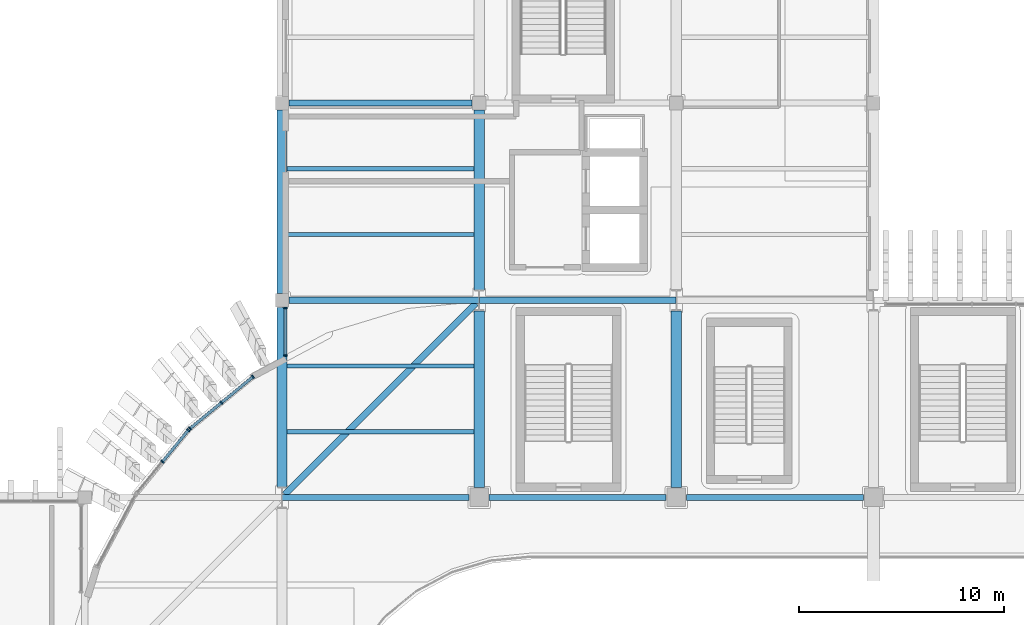
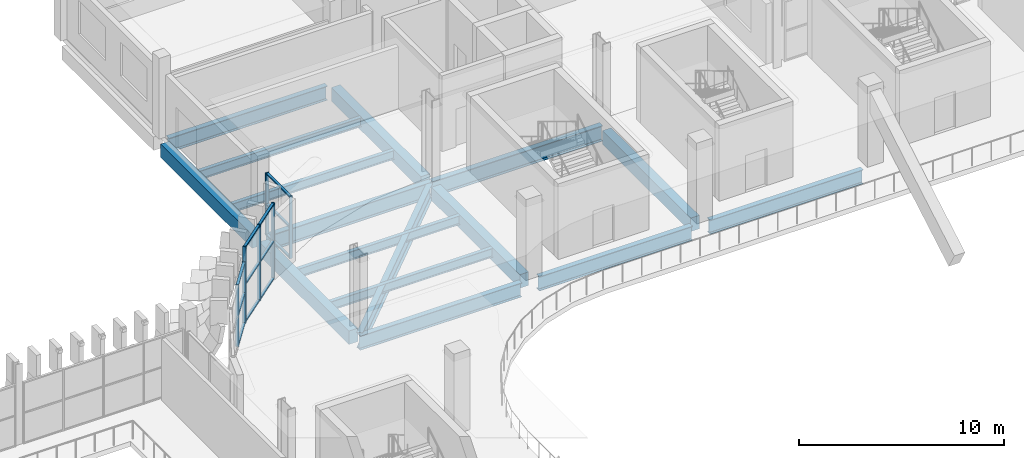
# One storey, part 28 of 100: 19 members, 16 beams, 3 elements without a shape of their own.
"""IFC4 building model written with IfcOpenShell, lengths in metres."""

from ifc_helpers import new_model, si_unit, direction, frame, origin, origin_2d, place, context, subcontext, project, spatial, rectangle, i_section, extrude, material, layer, layer_set, material_profile, profile_set, type_object, element, aggregate, save


model = new_model("IFC4")

# Units and contexts
model_context = context("Model", 3, precision=1e-05, world=origin(), true_north=direction((0.0, 1.0)))
body_context = subcontext(model_context, "Body", "Model", "MODEL_VIEW")
ifc_project = project(units=[si_unit("LENGTHUNIT", "METRE"), si_unit("AREAUNIT", "SQUARE_METRE"), si_unit("VOLUMEUNIT", "CUBIC_METRE"), si_unit("PLANEANGLEUNIT", "RADIAN"), si_unit("MASSUNIT", "GRAM", prefix="KILO")], contexts=[model_context])

# Site, building, storey
site_placement = place(None, origin())
site = spatial("IfcSite", under=ifc_project, at=site_placement, CompositionType="ELEMENT")
building_placement = place(site_placement, origin())
building = spatial("IfcBuilding", under=site, at=building_placement, Name="Caelomonte Colonnade Arena", CompositionType="ELEMENT")
storey_placement = place(building_placement, origin())
storey = spatial("IfcBuildingStorey", under=building, at=storey_placement, Name="L00", CompositionType="ELEMENT", Elevation=0.0)

# Curtain wall, members
ifc_material_1 = material(Name="Bronze anodised aluminium and low-E glazing", Category="aluminium")
ifc_layer_1 = layer(ifc_material_1, 0.179931640625)
ifc_layer_set_1 = layer_set([ifc_layer_1], Name="Bronze anodised aluminium and low-E glazing")
curtain_wall_type_1 = type_object("IfcCurtainWallType", Name="ENV-CW-CW-L00-29-37", PredefinedType="USERDEFINED", material=ifc_layer_set_1)
curtain_wall_1_placement = place(storey_placement, origin())
curtain_wall_1 = element("IfcCurtainWall", 1, at=curtain_wall_1_placement, inside=storey, type_object=curtain_wall_type_1, Name="L00 unitized curtain wall CW-L00-0674-1138", ObjectType="UNITIZED CURTAIN WALL", PredefinedType="USERDEFINED")
ifc_material_2 = material(Name="Bronze anodised aluminium AA6063-T6", Category="aluminium")
ifc_material_profile_1 = material_profile(ifc_material_2, rectangle(XDim=0.070068359375, YDim=0.179931640625, at=origin_2d()), Name="CWM-70X180")
ifc_profile_set_1 = profile_set([ifc_material_profile_1], Name="Bronze anodised aluminium AA6063-T6")
member_type_1 = type_object("IfcMemberType", Name="ENV-CW-MULL1", PredefinedType="MULLION", material=ifc_profile_set_1)
member_1_placement = place(storey_placement, frame((67.3798828125, 114.820068359375, 0.0), z_axis=(0.0, 0.0, 1.0), x_axis=(0.0, -1.0, 0.0)))
member_1 = element("IfcMember", 2, at=member_1_placement, type_object=member_type_1, Name="CW-L00-29-37 mullion 1", PredefinedType="MULLION", context=body_context, shape_type="SweptSolid", body=[
    extrude(rectangle(XDim=0.070068359375, YDim=0.179931640625, at=origin_2d()), origin(), (0.0, 0.0, 1.0), 3.699951171875),
])
member_2_placement = place(storey_placement, frame((67.3798828125, 112.52001953125, 0.0), z_axis=(0.0, 0.0, 1.0), x_axis=(0.0, -1.0, 0.0)))
member_2 = element("IfcMember", 3, at=member_2_placement, type_object=member_type_1, Name="CW-L00-29-37 mullion 2", PredefinedType="MULLION", context=body_context, shape_type="SweptSolid", body=[
    extrude(rectangle(XDim=0.070068359375, YDim=0.179931640625, at=origin_2d()), origin(), (0.0, 0.0, 1.0), 3.699951171875),
])

ifc_layer_2 = layer(ifc_material_1, 0.179931640625)
ifc_layer_set_2 = layer_set([ifc_layer_2], Name="Bronze anodised aluminium and low-E glazing")
curtain_wall_type_2 = type_object("IfcCurtainWallType", Name="ENV-CW-CW-L00-44-45", PredefinedType="USERDEFINED", material=ifc_layer_set_2)
curtain_wall_2_placement = place(storey_placement, origin())
curtain_wall_2 = element("IfcCurtainWall", 4, at=curtain_wall_2_placement, inside=storey, type_object=curtain_wall_type_2, Name="L00 unitized curtain wall CW-L00-0643-1102", ObjectType="UNITIZED CURTAIN WALL", PredefinedType="USERDEFINED")
member_3_placement = place(storey_placement, frame((65.789306640625, 111.47412109375, 0.0), z_axis=(0.0, 0.0, 1.0), x_axis=(-0.772991751994, -0.634416071163, 0.0)))
member_3 = element("IfcMember", 5, at=member_3_placement, type_object=member_type_1, Name="CW-L00-44-45 mullion 1", PredefinedType="MULLION", context=body_context, shape_type="SweptSolid", body=[
    extrude(rectangle(XDim=0.070068359375, YDim=0.179931640625, at=origin_2d()), origin(), (0.0, 0.0, 1.0), 4.5),
])
member_4_placement = place(storey_placement, frame((64.256103515625, 110.2158203125, 0.0), z_axis=(0.0, 0.0, 1.0), x_axis=(-0.772991751994, -0.634416071163, 0.0)))
member_4 = element("IfcMember", 6, at=member_4_placement, type_object=member_type_1, Name="CW-L00-44-45 mullion 2", PredefinedType="MULLION", context=body_context, shape_type="SweptSolid", body=[
    extrude(rectangle(XDim=0.070068359375, YDim=0.179931640625, at=origin_2d()), origin(), (0.0, 0.0, 1.0), 4.5),
])
member_5_placement = place(storey_placement, frame((62.722900390625, 108.95751953125, 0.0), z_axis=(0.0, 0.0, 1.0), x_axis=(-0.772991751994, -0.634416071163, 0.0)))
member_5 = element("IfcMember", 7, at=member_5_placement, type_object=member_type_1, Name="CW-L00-44-45 mullion 3", PredefinedType="MULLION", context=body_context, shape_type="SweptSolid", body=[
    extrude(rectangle(XDim=0.070068359375, YDim=0.179931640625, at=origin_2d()), origin(), (0.0, 0.0, 1.0), 4.5),
])

ifc_layer_3 = layer(ifc_material_1, 0.179931640625)
ifc_layer_set_3 = layer_set([ifc_layer_3], Name="Bronze anodised aluminium and low-E glazing")
curtain_wall_type_3 = type_object("IfcCurtainWallType", Name="ENV-CW-CW-L00-44-37", PredefinedType="USERDEFINED", material=ifc_layer_set_3)
curtain_wall_3_placement = place(storey_placement, origin())
curtain_wall_3 = element("IfcCurtainWall", 8, at=curtain_wall_3_placement, inside=storey, type_object=curtain_wall_type_3, Name="L00 unitized curtain wall CW-L00-0614-1073", ObjectType="UNITIZED CURTAIN WALL", PredefinedType="USERDEFINED")
member_6_placement = place(storey_placement, frame((62.642333984375, 108.876953125, 0.0), z_axis=(0.0, 0.0, 1.0), x_axis=(-0.634416071163, -0.772991751994, 0.0)))
member_6 = element("IfcMember", 9, at=member_6_placement, type_object=member_type_1, Name="CW-L00-44-37 mullion 1", PredefinedType="MULLION", context=body_context, shape_type="SweptSolid", body=[
    extrude(rectangle(XDim=0.070068359375, YDim=0.179931640625, at=origin_2d()), origin(), (0.0, 0.0, 1.0), 3.664306640625),
])
member_7_placement = place(storey_placement, frame((61.384033203125, 107.343994140625, 0.0), z_axis=(0.0, 0.0, 1.0), x_axis=(-0.634416071163, -0.772991751994, 0.0)))
member_7 = element("IfcMember", 10, at=member_7_placement, type_object=member_type_1, Name="CW-L00-44-37 mullion 2", PredefinedType="MULLION", context=body_context, shape_type="SweptSolid", body=[
    extrude(rectangle(XDim=0.070068359375, YDim=0.179931640625, at=origin_2d()), origin(), (0.0, 0.0, 1.0), 3.664306640625),
])

# Member
ifc_material_profile_2 = material_profile(ifc_material_2, rectangle(XDim=0.070068359375, YDim=0.139892578125, at=origin_2d()), Name="CWT-70X140")
ifc_profile_set_2 = profile_set([ifc_material_profile_2], Name="Bronze anodised aluminium AA6063-T6")
member_type_2 = type_object("IfcMemberType", Name="ENV-CW-TRAN1", PredefinedType="USERDEFINED", material=ifc_profile_set_2)
member_8_placement = place(storey_placement, frame((67.3798828125, 114.784912109375, 0.034912109375), z_axis=(0.0, -1.0, 0.0), x_axis=(0.0, 0.0, 1.0)))
member_8 = element("IfcMember", 11, at=member_8_placement, type_object=member_type_2, Name="CW-L00-29-37 transom 1.1", ObjectType="TRANSOM", PredefinedType="USERDEFINED", context=body_context, shape_type="SweptSolid", body=[
    extrude(rectangle(XDim=0.070068359375, YDim=0.139892578125, at=origin_2d()), origin(), (0.0, 0.0, 1.0), 2.22998046875),
])

member_9_placement = place(storey_placement, frame((67.3798828125, 114.784912109375, 1.85009765625), z_axis=(0.0, -1.0, 0.0), x_axis=(0.0, 0.0, 1.0)))
member_9 = element("IfcMember", 12, at=member_9_placement, type_object=member_type_2, Name="CW-L00-29-37 transom 1.2", ObjectType="TRANSOM", PredefinedType="USERDEFINED", context=body_context, shape_type="SweptSolid", body=[
    extrude(rectangle(XDim=0.070068359375, YDim=0.139892578125, at=origin_2d()), origin(), (0.0, 0.0, 1.0), 2.22998046875),
])

member_10_placement = place(storey_placement, frame((67.3798828125, 114.784912109375, 3.6650390625), z_axis=(0.0, -1.0, 0.0), x_axis=(0.0, 0.0, 1.0)))
member_10 = element("IfcMember", 13, at=member_10_placement, type_object=member_type_2, Name="CW-L00-29-37 transom 1.3", ObjectType="TRANSOM", PredefinedType="USERDEFINED", context=body_context, shape_type="SweptSolid", body=[
    extrude(rectangle(XDim=0.070068359375, YDim=0.139892578125, at=origin_2d()), origin(), (0.0, 0.0, 1.0), 2.22998046875),
])

aggregate(curtain_wall_1, [member_1, member_2, member_8, member_9, member_10])

member_11_placement = place(storey_placement, frame((65.76220703125, 111.451904296875, 0.034912109375), z_axis=(-0.772989936128, -0.634418283662, 0.0), x_axis=(0.0, 0.0, 1.0)))
member_11 = element("IfcMember", 14, at=member_11_placement, type_object=member_type_2, Name="CW-L00-44-45 transom 1.1", ObjectType="TRANSOM", PredefinedType="USERDEFINED", context=body_context, shape_type="SweptSolid", body=[
    extrude(rectangle(XDim=0.070068359375, YDim=0.139892578125, at=origin_2d()), origin(), (0.0, 0.0, 1.0), 1.913330078125),
])

member_12_placement = place(storey_placement, frame((65.76220703125, 111.451904296875, 2.25), z_axis=(-0.772989936128, -0.634418283662, 0.0), x_axis=(0.0, 0.0, 1.0)))
member_12 = element("IfcMember", 15, at=member_12_placement, type_object=member_type_2, Name="CW-L00-44-45 transom 1.2", ObjectType="TRANSOM", PredefinedType="USERDEFINED", context=body_context, shape_type="SweptSolid", body=[
    extrude(rectangle(XDim=0.070068359375, YDim=0.139892578125, at=origin_2d()), origin(), (0.0, 0.0, 1.0), 1.913330078125),
])

member_13_placement = place(storey_placement, frame((65.76220703125, 111.451904296875, 4.465087890625), z_axis=(-0.772989936128, -0.634418283662, 0.0), x_axis=(0.0, 0.0, 1.0)))
member_13 = element("IfcMember", 16, at=member_13_placement, type_object=member_type_2, Name="CW-L00-44-45 transom 1.3", ObjectType="TRANSOM", PredefinedType="USERDEFINED", context=body_context, shape_type="SweptSolid", body=[
    extrude(rectangle(XDim=0.070068359375, YDim=0.139892578125, at=origin_2d()), origin(), (0.0, 0.0, 1.0), 1.913330078125),
])

member_14_placement = place(storey_placement, frame((64.22900390625, 110.193603515625, 0.034912109375), z_axis=(-0.772989936128, -0.634418283662, 0.0), x_axis=(0.0, 0.0, 1.0)))
member_14 = element("IfcMember", 17, at=member_14_placement, type_object=member_type_2, Name="CW-L00-44-45 transom 2.1", ObjectType="TRANSOM", PredefinedType="USERDEFINED", context=body_context, shape_type="SweptSolid", body=[
    extrude(rectangle(XDim=0.070068359375, YDim=0.139892578125, at=origin_2d()), origin(), (0.0, 0.0, 1.0), 1.913330078125),
])

member_15_placement = place(storey_placement, frame((64.22900390625, 110.193603515625, 2.25), z_axis=(-0.772989936128, -0.634418283662, 0.0), x_axis=(0.0, 0.0, 1.0)))
member_15 = element("IfcMember", 18, at=member_15_placement, type_object=member_type_2, Name="CW-L00-44-45 transom 2.2", ObjectType="TRANSOM", PredefinedType="USERDEFINED", context=body_context, shape_type="SweptSolid", body=[
    extrude(rectangle(XDim=0.070068359375, YDim=0.139892578125, at=origin_2d()), origin(), (0.0, 0.0, 1.0), 1.913330078125),
])

member_16_placement = place(storey_placement, frame((64.22900390625, 110.193603515625, 4.465087890625), z_axis=(-0.772989936128, -0.634418283662, 0.0), x_axis=(0.0, 0.0, 1.0)))
member_16 = element("IfcMember", 19, at=member_16_placement, type_object=member_type_2, Name="CW-L00-44-45 transom 2.3", ObjectType="TRANSOM", PredefinedType="USERDEFINED", context=body_context, shape_type="SweptSolid", body=[
    extrude(rectangle(XDim=0.070068359375, YDim=0.139892578125, at=origin_2d()), origin(), (0.0, 0.0, 1.0), 1.913330078125),
])

aggregate(curtain_wall_2, [member_3, member_4, member_5, member_11, member_12, member_13, member_14, member_15, member_16])

member_17_placement = place(storey_placement, frame((62.6201171875, 108.85009765625, 0.034912109375), z_axis=(-0.634355713729, -0.773041285094, 0.0), x_axis=(0.0, 0.0, 1.0)))
member_17 = element("IfcMember", 20, at=member_17_placement, type_object=member_type_2, Name="CW-L00-44-37 transom 1.1", ObjectType="TRANSOM", PredefinedType="USERDEFINED", context=body_context, shape_type="SweptSolid", body=[
    extrude(rectangle(XDim=0.070068359375, YDim=0.139892578125, at=origin_2d()), origin(), (0.0, 0.0, 1.0), 1.91357421875),
])

member_18_placement = place(storey_placement, frame((62.6201171875, 108.85009765625, 1.832275390625), z_axis=(-0.634355713729, -0.773041285094, 0.0), x_axis=(0.0, 0.0, 1.0)))
member_18 = element("IfcMember", 21, at=member_18_placement, type_object=member_type_2, Name="CW-L00-44-37 transom 1.2", ObjectType="TRANSOM", PredefinedType="USERDEFINED", context=body_context, shape_type="SweptSolid", body=[
    extrude(rectangle(XDim=0.070068359375, YDim=0.139892578125, at=origin_2d()), origin(), (0.0, 0.0, 1.0), 1.91357421875),
])

member_19_placement = place(storey_placement, frame((62.6201171875, 108.85009765625, 3.62939453125), z_axis=(-0.634355713729, -0.773041285094, 0.0), x_axis=(0.0, 0.0, 1.0)))
member_19 = element("IfcMember", 22, at=member_19_placement, type_object=member_type_2, Name="CW-L00-44-37 transom 1.3", ObjectType="TRANSOM", PredefinedType="USERDEFINED", context=body_context, shape_type="SweptSolid", body=[
    extrude(rectangle(XDim=0.070068359375, YDim=0.139892578125, at=origin_2d()), origin(), (0.0, 0.0, 1.0), 1.91357421875),
])

aggregate(curtain_wall_3, [member_6, member_7, member_17, member_18, member_19])

# Beams
ifc_material_3 = material(Name="Wide-flange steel ASTM A992 Grade 50", Category="steel")
ifc_material_profile_3 = material_profile(ifc_material_3, i_section(OverallWidth=0.307861328125, OverallDepth=0.927001953125, WebThickness=0.019287109375, FlangeThickness=0.031982421875, FilletRadius=0.020263671875, at=origin_2d()), Name="W36X194")
ifc_profile_set_3 = profile_set([ifc_material_profile_3], Name="Wide-flange steel ASTM A992 Grade 50")
beam_type_1 = type_object("IfcBeamType", Name="STR-BM-EAVES2", PredefinedType="SPANDREL", material=ifc_profile_set_3)
beam_1_placement = place(storey_placement, frame((67.5419921875, 115.199951171875, -0.763427734375), z_axis=(1.0, 0.0, 0.0), x_axis=(0.0, 1.0, 0.0)))
element("IfcBeam", 23, at=beam_1_placement, inside=storey, type_object=beam_type_1, Name="L00 girder BMX-L00-0672-1152", PredefinedType="SPANDREL", context=body_context, shape_type="SweptSolid", body=[
    extrude(i_section(OverallWidth=0.307861328125, OverallDepth=0.927001953125, WebThickness=0.019287109375, FlangeThickness=0.031982421875, FilletRadius=0.020263671875, at=origin_2d()), origin(), (0.0, 0.0, 1.0), 9.242431640625),
])
beam_2_placement = place(storey_placement, frame((76.8154296875, 115.199951171875, -0.763427734375), z_axis=(1.0, 0.0, 0.0), x_axis=(0.0, 1.0, 0.0)))
element("IfcBeam", 24, at=beam_2_placement, inside=storey, type_object=beam_type_1, Name="L00 girder BMX-L00-0768-1152", PredefinedType="SPANDREL", context=body_context, shape_type="SweptSolid", body=[
    extrude(i_section(OverallWidth=0.307861328125, OverallDepth=0.927001953125, WebThickness=0.019287109375, FlangeThickness=0.031982421875, FilletRadius=0.020263671875, at=origin_2d()), origin(), (0.0, 0.0, 1.0), 9.569091796875),
])
beam_3_placement = place(storey_placement, frame((76.65478515625, 115.0546875, -0.763427734375), z_axis=(-0.707116053077, -0.707097509175, 0.0), x_axis=(0.707097509175, -0.707116053077, 0.0)))
element("IfcBeam", 25, at=beam_3_placement, inside=storey, type_object=beam_type_1, Name="L00 drum corner ring girder 7", PredefinedType="SPANDREL", context=body_context, shape_type="SweptSolid", body=[
    extrude(i_section(OverallWidth=0.307861328125, OverallDepth=0.927001953125, WebThickness=0.019287109375, FlangeThickness=0.031982421875, FilletRadius=0.020263671875, at=origin_2d()), origin(), (0.0, 0.0, 1.0), 13.16552734375),
])
ifc_material_profile_4 = material_profile(ifc_material_3, i_section(OverallWidth=0.2919921875, OverallDepth=0.845703125, WebThickness=0.015380859375, FlangeThickness=0.0244140625, FilletRadius=0.017822265625, at=origin_2d()), Name="W33X141")
ifc_profile_set_4 = profile_set([ifc_material_profile_4], Name="Wide-flange steel ASTM A992 Grade 50")
beam_type_2 = type_object("IfcBeamType", Name="STR-BM-GIRD33", PredefinedType="BEAM", material=ifc_profile_set_4)
beam_4_placement = place(storey_placement, frame((67.215576171875, 105.60009765625, -0.722900390625), z_axis=(1.0, 0.0, 0.0), x_axis=(0.0, 1.0, 0.0)))
element("IfcBeam", 26, at=beam_4_placement, inside=storey, type_object=beam_type_2, Name="L00 girder BMX-L00-0672-1056", PredefinedType="BEAM", context=body_context, shape_type="SweptSolid", body=[
    extrude(i_section(OverallWidth=0.2919921875, OverallDepth=0.845703125, WebThickness=0.015380859375, FlangeThickness=0.0244140625, FilletRadius=0.017822265625, at=origin_2d()), origin(), (0.0, 0.0, 1.0), 9.092529296875),
])
for number, where, z_axis, x_axis, name in (
    (27, (77.2919921875, 105.60009765625, -0.722900390625), (1.0, 0.0, 0.0), (0.0, 1.0, 0.0), "L00 girder BMX-L00-0768-1056"),
    (28, (86.89208984375, 105.60009765625, -0.722900390625), (1.0, 0.0, 0.0), (0.0, 1.0, 0.0), "L00 girder BMX-L00-0864-1056"),
):
    element("IfcBeam", number, at=place(storey_placement, frame(where, z_axis=z_axis, x_axis=x_axis)), inside=storey, type_object=beam_type_2, Name=name, PredefinedType="BEAM", context=body_context, shape_type="SweptSolid", body=[
        extrude(i_section(OverallWidth=0.2919921875, OverallDepth=0.845703125, WebThickness=0.015380859375, FlangeThickness=0.0244140625, FilletRadius=0.017822265625, at=origin_2d()), origin(), (0.0, 0.0, 1.0), 8.615966796875),
    ])
beam_5_placement = place(storey_placement, frame((67.5419921875, 124.800048828125, -0.722900390625), z_axis=(1.0, 0.0, 0.0), x_axis=(0.0, 1.0, 0.0)))
element("IfcBeam", 29, at=beam_5_placement, inside=storey, type_object=beam_type_2, Name="L00 girder BMX-L00-0672-1248", PredefinedType="BEAM", context=body_context, shape_type="SweptSolid", body=[
    extrude(i_section(OverallWidth=0.2919921875, OverallDepth=0.845703125, WebThickness=0.015380859375, FlangeThickness=0.0244140625, FilletRadius=0.017822265625, at=origin_2d()), origin(), (0.0, 0.0, 1.0), 8.916015625),
])
ifc_material_profile_5 = material_profile(ifc_material_3, i_section(OverallWidth=0.209228515625, OverallDepth=0.533447265625, WebThickness=0.01025390625, FlangeThickness=0.015625, FilletRadius=0.0126953125, at=origin_2d()), Name="W21X62")
ifc_profile_set_5 = profile_set([ifc_material_profile_5], Name="Wide-flange steel ASTM A992 Grade 50")
beam_type_3 = type_object("IfcBeamType", Name="STR-BM-JOIST21", PredefinedType="JOIST", material=ifc_profile_set_5)
for number, where, z_axis, x_axis, name in (
    (30, (67.445068359375, 108.800048828125, -0.566650390625), (1.0, 0.0, 0.0), (0.0, 1.0, 0.0), "L00 secondary joist 1"),
    (31, (67.445068359375, 112.0, -0.566650390625), (1.0, 0.0, 0.0), (0.0, 1.0, 0.0), "L00 secondary joist 2"),
    (32, (67.445068359375, 118.39990234375, -0.566650390625), (1.0, 0.0, 0.0), (0.0, 1.0, 0.0), "L00 secondary joist 1"),
    (33, (67.445068359375, 121.60009765625, -0.566650390625), (1.0, 0.0, 0.0), (0.0, 1.0, 0.0), "L00 secondary joist 2"),
):
    element("IfcBeam", number, at=place(storey_placement, frame(where, z_axis=z_axis, x_axis=x_axis)), inside=storey, type_object=beam_type_3, Name=name, PredefinedType="JOIST", context=body_context, shape_type="SweptSolid", body=[
        extrude(i_section(OverallWidth=0.209228515625, OverallDepth=0.533447265625, WebThickness=0.01025390625, FlangeThickness=0.015625, FilletRadius=0.0126953125, at=origin_2d()), origin(), (0.0, 0.0, 1.0), 9.10986328125),
    ])
ifc_material_4 = material(Name="Concrete C40/50", Category="concrete")
ifc_material_profile_6 = material_profile(ifc_material_4, rectangle(XDim=0.5, YDim=0.800048828125, at=origin_2d()), Name="RC500X800")
ifc_profile_set_6 = profile_set([ifc_material_profile_6], Name="Concrete C40/50")
beam_type_4 = type_object("IfcBeamType", Name="STR-BM-RC50", PredefinedType="BEAM", material=ifc_profile_set_6)
beam_6_placement = place(storey_placement, frame((67.199951171875, 106.11279296875, -0.699951171875), z_axis=(0.0, 1.0, 0.0), x_axis=(-1.0, 0.0, 0.0)))
element("IfcBeam", 34, at=beam_6_placement, inside=storey, type_object=beam_type_4, Name="L00 girder BMY-L00-0672-1056", PredefinedType="BEAM", context=body_context, shape_type="SweptSolid", body=[
    extrude(rectangle(XDim=0.5, YDim=0.800048828125, at=origin_2d()), origin(), (0.0, 0.0, 1.0), 8.7451171875),
])
beam_7_placement = place(storey_placement, frame((67.199951171875, 115.5419921875, -0.699951171875), z_axis=(0.0, 1.0, 0.0), x_axis=(-1.0, 0.0, 0.0)))
element("IfcBeam", 35, at=beam_7_placement, inside=storey, type_object=beam_type_4, Name="L00 girder BMY-L00-0672-1152", PredefinedType="BEAM", context=body_context, shape_type="SweptSolid", body=[
    extrude(rectangle(XDim=0.5, YDim=0.800048828125, at=origin_2d()), origin(), (0.0, 0.0, 1.0), 8.916015625),
])
beam_8_placement = place(storey_placement, frame((76.800048828125, 106.092041015625, -0.699951171875), z_axis=(0.0, 1.0, 0.0), x_axis=(-1.0, 0.0, 0.0)))
element("IfcBeam", 36, at=beam_8_placement, inside=storey, type_object=beam_type_4, Name="L00 girder BMY-L00-0768-1056", PredefinedType="BEAM", context=body_context, shape_type="SweptSolid", body=[
    extrude(rectangle(XDim=0.5, YDim=0.800048828125, at=origin_2d()), origin(), (0.0, 0.0, 1.0), 8.59521484375),
])
beam_9_placement = place(storey_placement, frame((76.800048828125, 115.712646484375, -0.699951171875), z_axis=(0.0, 1.0, 0.0), x_axis=(-1.0, 0.0, 0.0)))
element("IfcBeam", 37, at=beam_9_placement, inside=storey, type_object=beam_type_4, Name="L00 girder BMY-L00-0768-1152", PredefinedType="BEAM", context=body_context, shape_type="SweptSolid", body=[
    extrude(rectangle(XDim=0.5, YDim=0.800048828125, at=origin_2d()), origin(), (0.0, 0.0, 1.0), 8.745361328125),
])
beam_10_placement = place(storey_placement, frame((86.39990234375, 106.092041015625, -0.699951171875), z_axis=(0.0, 1.0, 0.0), x_axis=(-1.0, 0.0, 0.0)))
element("IfcBeam", 38, at=beam_10_placement, inside=storey, type_object=beam_type_4, Name="L00 girder BMY-L00-0864-1056", PredefinedType="BEAM", context=body_context, shape_type="SweptSolid", body=[
    extrude(rectangle(XDim=0.5, YDim=0.800048828125, at=origin_2d()), origin(), (0.0, 0.0, 1.0), 8.59521484375),
])

save(model, "model.ifc")
